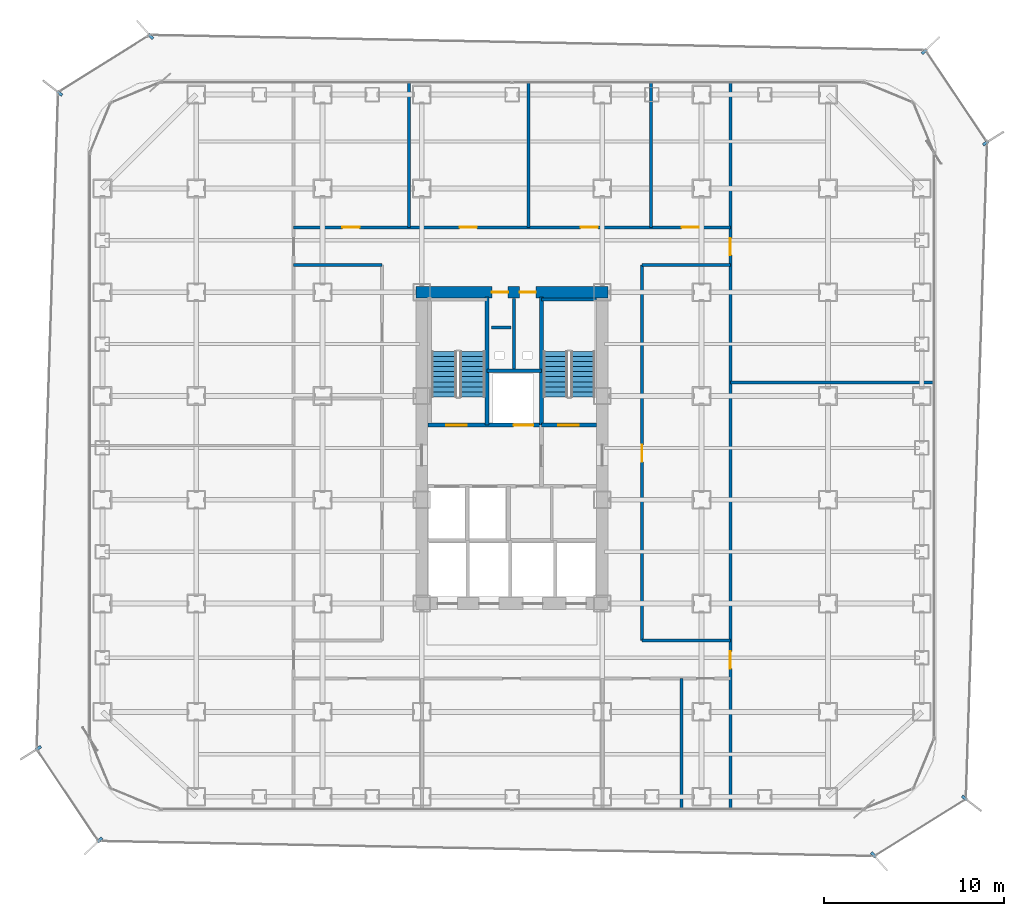
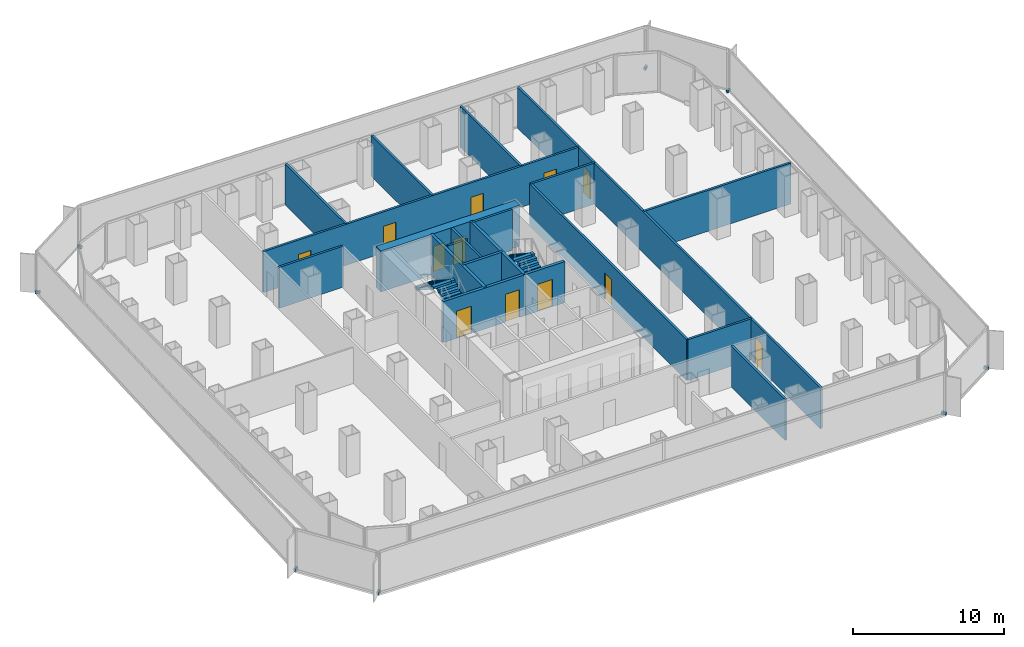
# One storey, part 18 of 21: 20 walls, 12 doors, 8 discrete accessories, 4 stair flights, 12 openings, 2 elements without a shape of their own.
"""IFC4 building model written with IfcOpenShell, lengths in metres."""

from ifc_helpers import new_model, si_unit, direction, frame, frame_2d, origin, origin_2d, place, context, subcontext, project, spatial, polyline, rectangle, outline, extrude, source, transform, mapped, material, layer, layer_set, type_object, element, fill, aggregate, save


model = new_model("IFC4")

# Units and contexts
model_context = context("Model", 3, precision=1e-05, world=origin(), true_north=direction((0.0, 1.0)))
body_context = subcontext(model_context, "Body", "Model", "MODEL_VIEW")
ifc_project = project(units=[si_unit("LENGTHUNIT", "METRE"), si_unit("AREAUNIT", "SQUARE_METRE"), si_unit("VOLUMEUNIT", "CUBIC_METRE"), si_unit("PLANEANGLEUNIT", "RADIAN"), si_unit("MASSUNIT", "GRAM", prefix="KILO")], contexts=[model_context])

# Site, building, storey
site_placement = place(None, origin())
site = spatial("IfcSite", under=ifc_project, at=site_placement, CompositionType="ELEMENT")
building_placement = place(site_placement, origin())
building = spatial("IfcBuilding", under=site, at=building_placement, Name="Kolveth Station Tower", CompositionType="ELEMENT")
storey_placement = place(building_placement, frame((0.0, 0.0, 33.300048828125)))
storey = spatial("IfcBuildingStorey", under=building, at=storey_placement, Name="L08", CompositionType="ELEMENT", Elevation=33.300048828125)

# Wall, openings, doors
ifc_material_1 = material(Name="Concrete C60/75", Category="concrete")
ifc_layer_1 = layer(ifc_material_1, 0.64990234375)
ifc_layer_set_1 = layer_set([ifc_layer_1], Name="Concrete C60/75")
wall_type_1 = type_object("IfcWallType", Name="Wall_CW-650", PredefinedType="SHEAR", material=ifc_layer_set_1)
wall_1_placement = place(storey_placement, frame((18.175048828125, 28.75, 0.0), z_axis=(0.0, 0.0, 1.0), x_axis=(1.0, 0.0, 0.0)))
wall_1 = element("IfcWall", 1, at=wall_1_placement, inside=storey, type_object=wall_type_1, Name="L08 Core RC Shear Wall N", PredefinedType="SHEAR", context=body_context, shape_type="SweptSolid", body=[
    extrude(rectangle(XDim=10.64990234375, YDim=0.64990234375, at=frame_2d((5.324951171875, 0.0))), origin(), (0.0, 0.0, 1.0), 3.320068359375),
])
opening_1_placement = place(wall_1_placement, frame((4.205078125, 0.0, 0.0)))
opening_1 = element("IfcOpeningElement", 2, at=opening_1_placement, cuts=wall_1, Name="Opening RD1", PredefinedType="OPENING", context=body_context, shape_type="SweptSolid", body=[
    extrude(rectangle(XDim=0.89990234375, YDim=2.050048828125, at=frame_2d((0.449951171875, 1.02490234375))), frame((0.0, 0.3349609375, 0.0), z_axis=(0.0, -1.0, 0.0), x_axis=(1.0, 0.0, 0.0)), (0.0, 0.0, 1.0), 0.669921875),
])
opening_2_placement = place(wall_1_placement, frame((5.7451171875, 0.0, 0.0)))
opening_2 = element("IfcOpeningElement", 3, at=opening_2_placement, cuts=wall_1, Name="Opening RD1", PredefinedType="OPENING", context=body_context, shape_type="SweptSolid", body=[
    extrude(rectangle(XDim=0.89990234375, YDim=2.050048828125, at=frame_2d((0.449951171875, 1.02490234375))), frame((0.0, 0.3349609375, 0.0), z_axis=(0.0, -1.0, 0.0), x_axis=(1.0, 0.0, 0.0)), (0.0, 0.0, 1.0), 0.669921875),
])
ifc_material_2 = material(Name="Fire-rated Steel S355 riser access leaf", Category="steel")
door_type_1 = type_object("IfcDoorType", Name="Door_RD1", OperationType="NOTDEFINED", PredefinedType="DOOR", material=ifc_material_2)
door_1_placement = place(opening_1_placement, origin())
door_1 = element("IfcDoor", 4, at=door_1_placement, inside=storey, type_object=door_type_1, Name="L08 Electrical Riser Access Door", OperationType="SINGLE_SWING_RIGHT", OverallHeight=2.050048828125, OverallWidth=0.89990234375, PredefinedType="DOOR", context=body_context, shape_type="SweptSolid", body=[
    extrude(rectangle(XDim=0.89990234375, YDim=2.050048828125, at=frame_2d((0.449951171875, 1.02490234375))), frame((0.0, 0.02490234375, 0.0), z_axis=(0.0, -1.0, 0.0), x_axis=(1.0, 0.0, 0.0)), (0.0, 0.0, 1.0), 0.050048828125),
])
fill(opening_1, door_1)
door_2_placement = place(opening_2_placement, origin())
door_2 = element("IfcDoor", 5, at=door_2_placement, inside=storey, type_object=door_type_1, Name="L08 Smoke Duct Access Door", OperationType="SINGLE_SWING_LEFT", OverallHeight=2.050048828125, OverallWidth=0.89990234375, PredefinedType="DOOR", context=body_context, shape_type="SweptSolid", body=[
    extrude(rectangle(XDim=0.89990234375, YDim=2.050048828125, at=frame_2d((0.449951171875, 1.02490234375))), frame((0.0, 0.02490234375, 0.0), z_axis=(0.0, -1.0, 0.0), x_axis=(1.0, 0.0, 0.0)), (0.0, 0.0, 1.0), 0.050048828125),
])
fill(opening_2, door_2)

# Walls
ifc_material_3 = material(Name="Acoustic double-stud gypsum partition")
ifc_layer_2 = layer(ifc_material_3, 0.1650390625)
ifc_layer_set_2 = layer_set([ifc_layer_2], Name="Acoustic double-stud gypsum partition")
wall_type_2 = type_object("IfcWallType", Name="Wall_IW-165", PredefinedType="PARTITIONING", material=ifc_layer_set_2)
wall_2_placement = place(storey_placement, frame((25.1298828125, 28.3349609375, 0.0), z_axis=(0.0, 0.0, 1.0), x_axis=(1.0, 0.0, 0.0)))
element("IfcWall", 6, at=wall_2_placement, inside=storey, type_object=wall_type_2, Name="L08 Stair Shaft Wall WL-L08-ST2-N", PredefinedType="PARTITIONING", context=body_context, shape_type="SweptSolid", body=[
    extrude(rectangle(XDim=3.03515625, YDim=0.1650390625, at=frame_2d((1.517578125, 0.0))), origin(), (0.0, 0.0, 1.0), 3.320068359375),
])
wall_3_placement = place(storey_placement, frame((23.6201171875, 24.39990234375, 0.0), z_axis=(0.0, 0.0, 1.0), x_axis=(0.0, 1.0, 0.0)))
element("IfcWall", 7, at=wall_3_placement, inside=storey, type_object=wall_type_2, Name="L08 Partition Wall WL-L08-RSR-M", PredefinedType="PARTITIONING", context=body_context, shape_type="SweptSolid", body=[
    extrude(rectangle(XDim=4.01513671875, YDim=0.1650390625, at=frame_2d((2.007568359375, 0.0))), origin(), (0.0, 0.0, 1.0), 3.320068359375),
])

# Wall, openings, doors
wall_4_placement = place(storey_placement, frame((11.39990234375, 32.35009765625, 0.0), z_axis=(0.0, 0.0, 1.0), x_axis=(1.0, 0.0, 0.0)))
wall_4 = element("IfcWall", 8, at=wall_4_placement, inside=storey, type_object=wall_type_2, Name="L08 Partition Wall WL-L08-ON", PredefinedType="PARTITIONING", context=body_context, shape_type="SweptSolid", body=[
    extrude(rectangle(XDim=24.2001953125, YDim=0.1650390625, at=frame_2d((12.10009765625, 0.0))), origin(), (0.0, 0.0, 1.0), 3.320068359375),
])
opening_3_placement = place(wall_4_placement, frame((2.699951171875, 0.0, 0.0)))
opening_3 = element("IfcOpeningElement", 9, at=opening_3_placement, cuts=wall_4, Name="Opening ID1", PredefinedType="OPENING", context=body_context, shape_type="SweptSolid", body=[
    extrude(rectangle(XDim=0.949951171875, YDim=2.14990234375, at=frame_2d((0.47509765625, 1.074951171875))), frame((0.0, 0.092529296875, 0.0), z_axis=(0.0, -1.0, 0.0), x_axis=(1.0, 0.0, 0.0)), (0.0, 0.0, 1.0), 0.18505859375),
])
opening_4_placement = place(wall_4_placement, frame((9.199951171875, 0.0, 0.0)))
opening_4 = element("IfcOpeningElement", 10, at=opening_4_placement, cuts=wall_4, Name="Opening ID1", PredefinedType="OPENING", context=body_context, shape_type="SweptSolid", body=[
    extrude(rectangle(XDim=0.949951171875, YDim=2.14990234375, at=frame_2d((0.47509765625, 1.074951171875))), frame((0.0, 0.092529296875, 0.0), z_axis=(0.0, -1.0, 0.0), x_axis=(1.0, 0.0, 0.0)), (0.0, 0.0, 1.0), 0.18505859375),
])
opening_5_placement = place(wall_4_placement, frame((15.89990234375, 0.0, 0.0)))
opening_5 = element("IfcOpeningElement", 11, at=opening_5_placement, cuts=wall_4, Name="Opening ID1", PredefinedType="OPENING", context=body_context, shape_type="SweptSolid", body=[
    extrude(rectangle(XDim=0.949951171875, YDim=2.14990234375, at=frame_2d((0.47509765625, 1.074951171875))), frame((0.0, 0.092529296875, 0.0), z_axis=(0.0, -1.0, 0.0), x_axis=(1.0, 0.0, 0.0)), (0.0, 0.0, 1.0), 0.18505859375),
])
opening_6_placement = place(wall_4_placement, frame((21.5, 0.0, 0.0)))
opening_6 = element("IfcOpeningElement", 12, at=opening_6_placement, cuts=wall_4, Name="Opening ID1", PredefinedType="OPENING", context=body_context, shape_type="SweptSolid", body=[
    extrude(rectangle(XDim=0.949951171875, YDim=2.14990234375, at=frame_2d((0.47509765625, 1.074951171875))), frame((0.0, 0.092529296875, 0.0), z_axis=(0.0, -1.0, 0.0), x_axis=(1.0, 0.0, 0.0)), (0.0, 0.0, 1.0), 0.18505859375),
])
ifc_material_4 = material(Name="Acoustic hardwood leaf and aluminium frame", Category="wood")
door_type_2 = type_object("IfcDoorType", Name="Door_ID1", OperationType="NOTDEFINED", PredefinedType="DOOR", material=ifc_material_4)
door_3_placement = place(opening_3_placement, origin())
door_3 = element("IfcDoor", 13, at=door_3_placement, inside=storey, type_object=door_type_2, Name="L08 Cellular Office 5 Door", OperationType="SINGLE_SWING_LEFT", OverallHeight=2.14990234375, OverallWidth=0.949951171875, PredefinedType="DOOR", context=body_context, shape_type="SweptSolid", body=[
    extrude(rectangle(XDim=0.949951171875, YDim=2.14990234375, at=frame_2d((0.47509765625, 1.074951171875))), frame((0.0, 0.02490234375, 0.0), z_axis=(0.0, -1.0, 0.0), x_axis=(1.0, 0.0, 0.0)), (0.0, 0.0, 1.0), 0.050048828125),
])
fill(opening_3, door_3)
door_4_placement = place(opening_4_placement, origin())
door_4 = element("IfcDoor", 14, at=door_4_placement, inside=storey, type_object=door_type_2, Name="L08 Cellular Office 6 Door", OperationType="SINGLE_SWING_LEFT", OverallHeight=2.14990234375, OverallWidth=0.949951171875, PredefinedType="DOOR", context=body_context, shape_type="SweptSolid", body=[
    extrude(rectangle(XDim=0.949951171875, YDim=2.14990234375, at=frame_2d((0.47509765625, 1.074951171875))), frame((0.0, 0.02490234375, 0.0), z_axis=(0.0, -1.0, 0.0), x_axis=(1.0, 0.0, 0.0)), (0.0, 0.0, 1.0), 0.050048828125),
])
fill(opening_4, door_4)
door_5_placement = place(opening_5_placement, origin())
door_5 = element("IfcDoor", 15, at=door_5_placement, inside=storey, type_object=door_type_2, Name="L08 Cellular Office 7 Door", OperationType="SINGLE_SWING_RIGHT", OverallHeight=2.14990234375, OverallWidth=0.949951171875, PredefinedType="DOOR", context=body_context, shape_type="SweptSolid", body=[
    extrude(rectangle(XDim=0.949951171875, YDim=2.14990234375, at=frame_2d((0.47509765625, 1.074951171875))), frame((0.0, 0.02490234375, 0.0), z_axis=(0.0, -1.0, 0.0), x_axis=(1.0, 0.0, 0.0)), (0.0, 0.0, 1.0), 0.050048828125),
])
fill(opening_5, door_5)
door_6_placement = place(opening_6_placement, origin())
door_6 = element("IfcDoor", 16, at=door_6_placement, inside=storey, type_object=door_type_2, Name="L08 Office Pantry Door", OperationType="SINGLE_SWING_LEFT", OverallHeight=2.14990234375, OverallWidth=0.949951171875, PredefinedType="DOOR", context=body_context, shape_type="SweptSolid", body=[
    extrude(rectangle(XDim=0.949951171875, YDim=2.14990234375, at=frame_2d((0.47509765625, 1.074951171875))), frame((0.0, 0.02490234375, 0.0), z_axis=(0.0, -1.0, 0.0), x_axis=(1.0, 0.0, 0.0)), (0.0, 0.0, 1.0), 0.050048828125),
])
fill(opening_6, door_6)

# Walls
for number, where, z_axis, x_axis, name in (
    (17, (30.699951171875, 9.449951171875, 0.0), (0.0, 0.0, 1.0), (1.0, 0.0, 0.0), "L08 Partition Wall WL-L08-OSET"),
    (18, (11.39990234375, 30.25, 0.0), (0.0, 0.0, 1.0), (1.0, 0.0, 0.0), "L08 Partition Wall WL-L08-ONWB"),
    (19, (30.699951171875, 30.25, 0.0), (0.0, 0.0, 1.0), (1.0, 0.0, 0.0), "L08 Partition Wall WL-L08-ONEB"),
):
    element("IfcWall", number, at=place(storey_placement, frame(where, z_axis=z_axis, x_axis=x_axis)), inside=storey, type_object=wall_type_2, Name=name, PredefinedType="PARTITIONING", context=body_context, shape_type="SweptSolid", body=[
        extrude(rectangle(XDim=4.900146484375, YDim=0.1650390625, at=frame_2d((2.4501953125, 0.0))), origin(), (0.0, 0.0, 1.0), 3.320068359375),
    ])

# Wall, opening, door
wall_5_placement = place(storey_placement, frame((30.699951171875, 9.449951171875, 0.0), z_axis=(0.0, 0.0, 1.0), x_axis=(0.0, 1.0, 0.0)))
wall_5 = element("IfcWall", 20, at=wall_5_placement, inside=storey, type_object=wall_type_2, Name="L08 Partition Wall WL-L08-OCE", PredefinedType="PARTITIONING", context=body_context, shape_type="SweptSolid", body=[
    extrude(rectangle(XDim=20.800048828125, YDim=0.1650390625, at=frame_2d((10.39990234375, 0.0))), origin(), (0.0, 0.0, 1.0), 3.320068359375),
])
opening_7_placement = place(wall_5_placement, frame((9.89990234375, 0.0, 0.0)))
opening_7 = element("IfcOpeningElement", 21, at=opening_7_placement, cuts=wall_5, Name="Opening ID1", PredefinedType="OPENING", context=body_context, shape_type="SweptSolid", body=[
    extrude(rectangle(XDim=0.949951171875, YDim=2.14990234375, at=frame_2d((0.47509765625, 1.074951171875))), frame((0.0, 0.092529296875, 0.0), z_axis=(0.0, -1.0, 0.0), x_axis=(1.0, 0.0, 0.0)), (0.0, 0.0, 1.0), 0.18505859375),
])
door_7_placement = place(opening_7_placement, origin())
door_7 = element("IfcDoor", 22, at=door_7_placement, inside=storey, type_object=door_type_2, Name="L08 Internal Meeting Room E1 Door", OperationType="SINGLE_SWING_LEFT", OverallHeight=2.14990234375, OverallWidth=0.949951171875, PredefinedType="DOOR", context=body_context, shape_type="SweptSolid", body=[
    extrude(rectangle(XDim=0.949951171875, YDim=2.14990234375, at=frame_2d((0.47509765625, 1.074951171875))), frame((0.0, 0.02490234375, 0.0), z_axis=(0.0, -1.0, 0.0), x_axis=(1.0, 0.0, 0.0)), (0.0, 0.0, 1.0), 0.050048828125),
])
fill(opening_7, door_7)

# Wall, openings, doors
wall_6_placement = place(storey_placement, frame((35.60009765625, 0.159912109375, 0.0), z_axis=(0.0, 0.0, 1.0), x_axis=(0.0, 1.0, 0.0)))
wall_6 = element("IfcWall", 23, at=wall_6_placement, inside=storey, type_object=wall_type_2, Name="L08 Partition Wall WL-L08-OEEND", PredefinedType="PARTITIONING", context=body_context, shape_type="SweptSolid", body=[
    extrude(rectangle(XDim=40.18017578125, YDim=0.1650390625, at=frame_2d((20.090087890625, 0.0))), origin(), (0.0, 0.0, 1.0), 3.320068359375),
])
opening_8_placement = place(wall_6_placement, frame((7.739990234375, 0.0, 0.0)))
opening_8 = element("IfcOpeningElement", 24, at=opening_8_placement, cuts=wall_6, Name="Opening ID1", PredefinedType="OPENING", context=body_context, shape_type="SweptSolid", body=[
    extrude(rectangle(XDim=0.949951171875, YDim=2.14990234375, at=frame_2d((0.47509765625, 1.074951171875))), frame((0.0, 0.092529296875, 0.0), z_axis=(0.0, -1.0, 0.0), x_axis=(1.0, 0.0, 0.0)), (0.0, 0.0, 1.0), 0.18505859375),
])
opening_9_placement = place(wall_6_placement, frame((30.639892578125, 0.0, 0.0)))
opening_9 = element("IfcOpeningElement", 25, at=opening_9_placement, cuts=wall_6, Name="Opening ID1", PredefinedType="OPENING", context=body_context, shape_type="SweptSolid", body=[
    extrude(rectangle(XDim=0.949951171875, YDim=2.14990234375, at=frame_2d((0.47509765625, 1.074951171875))), frame((0.0, 0.092529296875, 0.0), z_axis=(0.0, -1.0, 0.0), x_axis=(1.0, 0.0, 0.0)), (0.0, 0.0, 1.0), 0.18505859375),
])
door_8_placement = place(opening_8_placement, origin())
door_8 = element("IfcDoor", 26, at=door_8_placement, inside=storey, type_object=door_type_2, Name="L08 East-South Wing Door", OperationType="SINGLE_SWING_RIGHT", OverallHeight=2.14990234375, OverallWidth=0.949951171875, PredefinedType="DOOR", context=body_context, shape_type="SweptSolid", body=[
    extrude(rectangle(XDim=0.949951171875, YDim=2.14990234375, at=frame_2d((0.47509765625, 1.074951171875))), frame((0.0, 0.02490234375, 0.0), z_axis=(0.0, -1.0, 0.0), x_axis=(1.0, 0.0, 0.0)), (0.0, 0.0, 1.0), 0.050048828125),
])
fill(opening_8, door_8)
door_9_placement = place(opening_9_placement, origin())
door_9 = element("IfcDoor", 27, at=door_9_placement, inside=storey, type_object=door_type_2, Name="L08 East-North Wing Door", OperationType="SINGLE_SWING_LEFT", OverallHeight=2.14990234375, OverallWidth=0.949951171875, PredefinedType="DOOR", context=body_context, shape_type="SweptSolid", body=[
    extrude(rectangle(XDim=0.949951171875, YDim=2.14990234375, at=frame_2d((0.47509765625, 1.074951171875))), frame((0.0, 0.02490234375, 0.0), z_axis=(0.0, -1.0, 0.0), x_axis=(1.0, 0.0, 0.0)), (0.0, 0.0, 1.0), 0.050048828125),
])
fill(opening_9, door_9)

# Walls
wall_7_placement = place(storey_placement, frame((32.89990234375, 0.159912109375, 0.0), z_axis=(0.0, 0.0, 1.0), x_axis=(0.0, 1.0, 0.0)))
element("IfcWall", 28, at=wall_7_placement, inside=storey, type_object=wall_type_2, Name="L08 Partition Wall WL-L08-OS-P3", PredefinedType="PARTITIONING", context=body_context, shape_type="SweptSolid", body=[
    extrude(rectangle(XDim=7.190185546875, YDim=0.1650390625, at=frame_2d((3.59521484375, 0.0))), origin(), (0.0, 0.0, 1.0), 3.320068359375),
])
for number, where, z_axis, x_axis, name in (
    (29, (17.800048828125, 32.35009765625, 0.0), (0.0, 0.0, 1.0), (0.0, 1.0, 0.0), "L08 Partition Wall WL-L08-ON-P1"),
    (30, (24.39990234375, 32.35009765625, 0.0), (0.0, 0.0, 1.0), (0.0, 1.0, 0.0), "L08 Partition Wall WL-L08-ON-P2"),
    (31, (31.199951171875, 32.35009765625, 0.0), (0.0, 0.0, 1.0), (0.0, 1.0, 0.0), "L08 Partition Wall WL-L08-ON-P3"),
):
    element("IfcWall", number, at=place(storey_placement, frame(where, z_axis=z_axis, x_axis=x_axis)), inside=storey, type_object=wall_type_2, Name=name, PredefinedType="PARTITIONING", context=body_context, shape_type="SweptSolid", body=[
        extrude(rectangle(XDim=7.989990234375, YDim=0.1650390625, at=frame_2d((3.9951171875, 0.0))), origin(), (0.0, 0.0, 1.0), 3.320068359375),
    ])
wall_8_placement = place(storey_placement, frame((35.60009765625, 23.75, 0.0), z_axis=(0.0, 0.0, 1.0), x_axis=(1.0, 0.0, 0.0)))
element("IfcWall", 32, at=wall_8_placement, inside=storey, type_object=wall_type_2, Name="L08 Partition Wall WL-L08-OEM", PredefinedType="PARTITIONING", context=body_context, shape_type="SweptSolid", body=[
    extrude(rectangle(XDim=11.239990234375, YDim=0.1650390625, at=frame_2d((5.6201171875, 0.0))), origin(), (0.0, 0.0, 1.0), 3.320068359375),
])
wall_9_placement = place(storey_placement, frame((22.35009765625, 26.800048828125, 0.0), z_axis=(0.0, 0.0, 1.0), x_axis=(1.0, 0.0, 0.0)))
element("IfcWall", 33, at=wall_9_placement, inside=storey, type_object=wall_type_2, Name="L08 Acoustic Riser Dry-Lining Wall", PredefinedType="PARTITIONING", context=body_context, shape_type="SweptSolid", body=[
    extrude(rectangle(XDim=1.099853515625, YDim=0.1650390625, at=frame_2d((0.5498046875, 0.0))), origin(), (0.0, 0.0, 1.0), 3.320068359375),
])
ifc_material_5 = material(Name="Acoustic fire-rated gypsum blockwork", Category="masonry")
ifc_layer_3 = layer(ifc_material_5, 0.199951171875)
ifc_layer_set_3 = layer_set([ifc_layer_3], Name="Acoustic fire-rated gypsum blockwork")
wall_type_3 = type_object("IfcWallType", Name="Wall_IW-200", PredefinedType="PARTITIONING", material=ifc_layer_set_3)
wall_10_placement = place(storey_placement, frame((22.110107421875, 24.39990234375, 0.0), z_axis=(0.0, 0.0, 1.0), x_axis=(1.0, 0.0, 0.0)))
element("IfcWall", 34, at=wall_10_placement, inside=storey, type_object=wall_type_3, Name="L08 Partition Wall WL-L08-RSR-S", PredefinedType="PARTITIONING", context=body_context, shape_type="SweptSolid", body=[
    extrude(rectangle(XDim=3.019775390625, YDim=0.199951171875, at=frame_2d((1.509765625, 0.0))), origin(), (0.0, 0.0, 1.0), 3.320068359375),
])
ifc_material_6 = material(Name="Concrete C40/50", Category="concrete")
ifc_layer_4 = layer(ifc_material_6, 0.219970703125)
ifc_layer_set_4 = layer_set([ifc_layer_4], Name="Concrete C40/50")
wall_type_4 = type_object("IfcWallType", Name="Wall_IW-220", PredefinedType="SOLIDWALL", material=ifc_layer_set_4)
for number, where, z_axis, x_axis, name in (
    (35, (22.110107421875, 21.389892578125, 0.0), (0.0, 0.0, 1.0), (0.0, 1.0, 0.0), "L08 Stair Shaft Wall WL-L08-ST1-E"),
    (36, (25.1298828125, 21.389892578125, 0.0), (0.0, 0.0, 1.0), (0.0, 1.0, 0.0), "L08 Stair Shaft Wall WL-L08-ST2-W"),
):
    element("IfcWall", number, at=place(storey_placement, frame(where, z_axis=z_axis, x_axis=x_axis)), inside=storey, type_object=wall_type_4, Name=name, PredefinedType="SOLIDWALL", context=body_context, shape_type="SweptSolid", body=[
        extrude(rectangle(XDim=7.110107421875, YDim=0.219970703125, at=frame_2d((3.55517578125, 0.0))), origin(), (0.0, 0.0, 1.0), 3.320068359375),
    ])

# Wall, openings, doors
wall_11_placement = place(storey_placement, frame((18.8349609375, 21.389892578125, 0.0), z_axis=(0.0, 0.0, 1.0), x_axis=(1.0, 0.0, 0.0)))
wall_11 = element("IfcWall", 37, at=wall_11_placement, inside=storey, type_object=wall_type_4, Name="L08 Stair Shaft Wall WL-L08-ST1-S", PredefinedType="SOLIDWALL", context=body_context, shape_type="SweptSolid", body=[
    extrude(rectangle(XDim=6.294921875, YDim=0.219970703125, at=frame_2d((3.1474609375, 0.0))), origin(), (0.0, 0.0, 1.0), 3.320068359375),
])
opening_10_placement = place(wall_11_placement, frame((1.014892578125, 0.0, 0.0)))
opening_10 = element("IfcOpeningElement", 38, at=opening_10_placement, cuts=wall_11, Name="Opening FD1", PredefinedType="OPENING", context=body_context, shape_type="SweptSolid", body=[
    extrude(rectangle(XDim=1.14990234375, YDim=2.199951171875, at=frame_2d((0.574951171875, 1.10009765625))), frame((0.0, 0.119873046875, 0.0), z_axis=(0.0, -1.0, 0.0), x_axis=(1.0, 0.0, 0.0)), (0.0, 0.0, 1.0), 0.239990234375),
])
opening_11_placement = place(wall_11_placement, frame((4.7451171875, 0.0, 0.0)))
opening_11 = element("IfcOpeningElement", 39, at=opening_11_placement, cuts=wall_11, Name="Opening LD1", PredefinedType="OPENING", context=body_context, shape_type="SweptSolid", body=[
    extrude(rectangle(XDim=1.10009765625, YDim=2.25, at=frame_2d((0.550048828125, 1.125))), frame((0.0, 0.119873046875, 0.0), z_axis=(0.0, -1.0, 0.0), x_axis=(1.0, 0.0, 0.0)), (0.0, 0.0, 1.0), 0.239990234375),
])
ifc_material_7 = material(Name="Fire-rated Steel S355 leaf and frame", Category="steel")
door_type_3 = type_object("IfcDoorType", Name="Door_FD1", OperationType="NOTDEFINED", PredefinedType="DOOR", material=ifc_material_7)
door_10_placement = place(opening_10_placement, frame((1.14990234375, 0.0, 0.0), z_axis=(0.0, 0.0, 1.0), x_axis=(-1.0, 0.0, 0.0)))
door_10 = element("IfcDoor", 40, at=door_10_placement, inside=storey, type_object=door_type_3, Name="L08 Stair ST1 Fire Door", OperationType="SINGLE_SWING_LEFT", OverallHeight=2.199951171875, OverallWidth=1.14990234375, PredefinedType="DOOR", context=body_context, shape_type="SweptSolid", body=[
    extrude(rectangle(XDim=1.14990234375, YDim=2.199951171875, at=frame_2d((0.574951171875, 1.10009765625))), frame((0.0, 0.02490234375, 0.0), z_axis=(0.0, -1.0, 0.0), x_axis=(1.0, 0.0, 0.0)), (0.0, 0.0, 1.0), 0.050048828125),
])
fill(opening_10, door_10)
ifc_material_8 = material(Name="Brushed stainless steel sliding landing doors", Category="steel")
door_type_4 = type_object("IfcDoorType", Name="Door_LD1", OperationType="NOTDEFINED", PredefinedType="DOOR", material=ifc_material_8)
door_11_placement = place(opening_11_placement, frame((1.10009765625, 0.0, 0.0), z_axis=(0.0, 0.0, 1.0), x_axis=(-1.0, 0.0, 0.0)))
door_11 = element("IfcDoor", 41, at=door_11_placement, inside=storey, type_object=door_type_4, Name="L08 Service Lift SV1 Landing Door", OperationType="DOUBLE_DOOR_SLIDING", OverallHeight=2.25, OverallWidth=1.10009765625, PredefinedType="DOOR", context=body_context, shape_type="SweptSolid", body=[
    extrude(rectangle(XDim=1.10009765625, YDim=2.25, at=frame_2d((0.550048828125, 1.125))), frame((0.0, 0.02490234375, 0.0), z_axis=(0.0, -1.0, 0.0), x_axis=(1.0, 0.0, 0.0)), (0.0, 0.0, 1.0), 0.050048828125),
])
fill(opening_11, door_11)

# Wall, opening, door
wall_12_placement = place(storey_placement, frame((25.1298828125, 21.389892578125, 0.0), z_axis=(0.0, 0.0, 1.0), x_axis=(1.0, 0.0, 0.0)))
wall_12 = element("IfcWall", 42, at=wall_12_placement, inside=storey, type_object=wall_type_4, Name="L08 Stair Shaft Wall WL-L08-ST2-S", PredefinedType="SOLIDWALL", context=body_context, shape_type="SweptSolid", body=[
    extrude(rectangle(XDim=3.03515625, YDim=0.219970703125, at=frame_2d((1.517578125, 0.0))), origin(), (0.0, 0.0, 1.0), 3.320068359375),
])
opening_12_placement = place(wall_12_placement, frame((0.919921875, 0.0, 0.0)))
opening_12 = element("IfcOpeningElement", 43, at=opening_12_placement, cuts=wall_12, Name="Opening FD1", PredefinedType="OPENING", context=body_context, shape_type="SweptSolid", body=[
    extrude(rectangle(XDim=1.14990234375, YDim=2.199951171875, at=frame_2d((0.574951171875, 1.10009765625))), frame((0.0, 0.119873046875, 0.0), z_axis=(0.0, -1.0, 0.0), x_axis=(1.0, 0.0, 0.0)), (0.0, 0.0, 1.0), 0.239990234375),
])
door_12_placement = place(opening_12_placement, frame((1.14990234375, 0.0, 0.0), z_axis=(0.0, 0.0, 1.0), x_axis=(-1.0, 0.0, 0.0)))
door_12 = element("IfcDoor", 44, at=door_12_placement, inside=storey, type_object=door_type_3, Name="L08 Stair ST2 Fire Door", OperationType="SINGLE_SWING_RIGHT", OverallHeight=2.199951171875, OverallWidth=1.14990234375, PredefinedType="DOOR", context=body_context, shape_type="SweptSolid", body=[
    extrude(rectangle(XDim=1.14990234375, YDim=2.199951171875, at=frame_2d((0.574951171875, 1.10009765625))), frame((0.0, 0.02490234375, 0.0), z_axis=(0.0, -1.0, 0.0), x_axis=(1.0, 0.0, 0.0)), (0.0, 0.0, 1.0), 0.050048828125),
])
fill(opening_12, door_12)

# Stair, stair flights
stair_type_1 = type_object("IfcStairType", Name="Stair_ST1", PredefinedType="HALF_TURN_STAIR", material=ifc_material_6)
stair_1_placement = place(storey_placement, origin())
stair_1 = element("IfcStair", 45, at=stair_1_placement, inside=storey, type_object=stair_type_1, Name="L08 Tower Exit Stair ST1", PredefinedType="HALF_TURN_STAIR")
ifc_layer_5 = layer(ifc_material_6, 0.179931640625)
ifc_layer_set_5 = layer_set([ifc_layer_5], Name="Concrete C40/50")
stair_flight_type_1 = type_object("IfcStairFlightType", Name="Flight_ST1", PredefinedType="STRAIGHT", material=ifc_layer_set_5)
stair_flight_1_placement = place(storey_placement, frame((21.300048828125, 22.949951171875, 0.0), z_axis=(0.0, 0.0, 1.0), x_axis=(0.0, 1.0, 0.0)))
stair_flight_1 = element("IfcStairFlight", 46, at=stair_flight_1_placement, type_object=stair_flight_type_1, Name="ST1 flight 1", NumberOfRisers=10, NumberOfTreads=9, PredefinedType="STRAIGHT", RiserHeight=0.18, TreadLength=0.28, context=body_context, shape_type="SweptSolid", body=[
    extrude(outline(polyline([(0.0, 0.0), (0.0, 0.179931640625), (0.280029296875, 0.179931640625), (0.280029296875, 0.360107421875), (0.56005859375, 0.360107421875), (0.56005859375, 0.5400390625), (0.840087890625, 0.5400390625), (0.840087890625, 0.719970703125), (1.1201171875, 0.719970703125), (1.1201171875, 0.89990234375), (1.39990234375, 0.89990234375), (1.39990234375, 1.080078125), (1.679931640625, 1.080078125), (1.679931640625, 1.260009765625), (1.9599609375, 1.260009765625), (1.9599609375, 1.43994140625), (2.239990234375, 1.43994140625), (2.239990234375, 1.6201171875), (2.52001953125, 1.6201171875), (2.52001953125, 1.800048828125), (2.52001953125, 1.44189453125), (0.277099609375, 0.0), (0.0, 0.0)])), frame((0.0, 0.699951171875, 0.0), z_axis=(0.0, -1.0, 0.0), x_axis=(1.0, 0.0, 0.0)), (0.0, 0.0, 1.0), 1.39990234375),
])
stair_flight_2_placement = place(storey_placement, frame((19.739990234375, 25.469970703125, 1.800048828125), z_axis=(0.0, 0.0, 1.0), x_axis=(0.0, -1.0, 0.0)))
stair_flight_2 = element("IfcStairFlight", 47, at=stair_flight_2_placement, type_object=stair_flight_type_1, Name="ST1 flight 2", NumberOfRisers=10, NumberOfTreads=9, PredefinedType="STRAIGHT", RiserHeight=0.18, TreadLength=0.28, context=body_context, shape_type="SweptSolid", body=[
    extrude(outline(polyline([(0.0, 0.0), (0.0, 0.179931640625), (0.280029296875, 0.179931640625), (0.280029296875, 0.360107421875), (0.56005859375, 0.360107421875), (0.56005859375, 0.5400390625), (0.840087890625, 0.5400390625), (0.840087890625, 0.719970703125), (1.1201171875, 0.719970703125), (1.1201171875, 0.89990234375), (1.39990234375, 0.89990234375), (1.39990234375, 1.080078125), (1.679931640625, 1.080078125), (1.679931640625, 1.260009765625), (1.9599609375, 1.260009765625), (1.9599609375, 1.43994140625), (2.239990234375, 1.43994140625), (2.239990234375, 1.6201171875), (2.52001953125, 1.6201171875), (2.52001953125, 1.800048828125), (2.52001953125, 1.44189453125), (0.277099609375, 0.0), (0.0, 0.0)])), frame((0.0, 0.699951171875, 0.0), z_axis=(0.0, -1.0, 0.0), x_axis=(1.0, 0.0, 0.0)), (0.0, 0.0, 1.0), 1.39990234375),
])
aggregate(stair_1, [stair_flight_1, stair_flight_2])

stair_type_2 = type_object("IfcStairType", Name="Stair_ST2", PredefinedType="HALF_TURN_STAIR", material=ifc_material_6)
stair_2_placement = place(storey_placement, origin())
stair_2 = element("IfcStair", 48, at=stair_2_placement, inside=storey, type_object=stair_type_2, Name="L08 Tower Exit Stair ST2", PredefinedType="HALF_TURN_STAIR")
ifc_layer_6 = layer(ifc_material_6, 0.179931640625)
ifc_layer_set_6 = layer_set([ifc_layer_6], Name="Concrete C40/50")
stair_flight_type_2 = type_object("IfcStairFlightType", Name="Flight_ST2", PredefinedType="STRAIGHT", material=ifc_layer_set_6)
stair_flight_3_placement = place(storey_placement, frame((27.425048828125, 22.949951171875, 0.0), z_axis=(0.0, 0.0, 1.0), x_axis=(0.0, 1.0, 0.0)))
stair_flight_3 = element("IfcStairFlight", 49, at=stair_flight_3_placement, type_object=stair_flight_type_2, Name="ST2 flight 1", NumberOfRisers=10, NumberOfTreads=9, PredefinedType="STRAIGHT", RiserHeight=0.18, TreadLength=0.28, context=body_context, shape_type="SweptSolid", body=[
    extrude(outline(polyline([(0.0, 0.0), (0.0, 0.179931640625), (0.280029296875, 0.179931640625), (0.280029296875, 0.360107421875), (0.56005859375, 0.360107421875), (0.56005859375, 0.5400390625), (0.840087890625, 0.5400390625), (0.840087890625, 0.719970703125), (1.1201171875, 0.719970703125), (1.1201171875, 0.89990234375), (1.39990234375, 0.89990234375), (1.39990234375, 1.080078125), (1.679931640625, 1.080078125), (1.679931640625, 1.260009765625), (1.9599609375, 1.260009765625), (1.9599609375, 1.43994140625), (2.239990234375, 1.43994140625), (2.239990234375, 1.6201171875), (2.52001953125, 1.6201171875), (2.52001953125, 1.800048828125), (2.52001953125, 1.44189453125), (0.277099609375, 0.0), (0.0, 0.0)])), frame((0.0, 0.675048828125, 0.0), z_axis=(0.0, -1.0, 0.0), x_axis=(1.0, 0.0, 0.0)), (0.0, 0.0, 1.0), 1.35009765625),
])
stair_flight_4_placement = place(storey_placement, frame((25.9150390625, 25.469970703125, 1.800048828125), z_axis=(0.0, 0.0, 1.0), x_axis=(0.0, -1.0, 0.0)))
stair_flight_4 = element("IfcStairFlight", 50, at=stair_flight_4_placement, type_object=stair_flight_type_2, Name="ST2 flight 2", NumberOfRisers=10, NumberOfTreads=9, PredefinedType="STRAIGHT", RiserHeight=0.18, TreadLength=0.28, context=body_context, shape_type="SweptSolid", body=[
    extrude(outline(polyline([(0.0, 0.0), (0.0, 0.179931640625), (0.280029296875, 0.179931640625), (0.280029296875, 0.360107421875), (0.56005859375, 0.360107421875), (0.56005859375, 0.5400390625), (0.840087890625, 0.5400390625), (0.840087890625, 0.719970703125), (1.1201171875, 0.719970703125), (1.1201171875, 0.89990234375), (1.39990234375, 0.89990234375), (1.39990234375, 1.080078125), (1.679931640625, 1.080078125), (1.679931640625, 1.260009765625), (1.9599609375, 1.260009765625), (1.9599609375, 1.43994140625), (2.239990234375, 1.43994140625), (2.239990234375, 1.6201171875), (2.52001953125, 1.6201171875), (2.52001953125, 1.800048828125), (2.52001953125, 1.44189453125), (0.277099609375, 0.0), (0.0, 0.0)])), frame((0.0, 0.675048828125, 0.0), z_axis=(0.0, -1.0, 0.0), x_axis=(1.0, 0.0, 0.0)), (0.0, 0.0, 1.0), 1.35009765625),
])
aggregate(stair_2, [stair_flight_3, stair_flight_4])

# Discrete accessories
ifc_material_9 = material(Name="Steel S355", Category="steel")
discrete_accessory_type = type_object("IfcDiscreteAccessoryType", Name="Bracket_BK1", PredefinedType="BRACKET", material=ifc_material_9)
shared_shape = source(origin(), body_context, "Body", "SweptSolid", [
    extrude(rectangle(XDim=0.35009765625, YDim=0.159912109375, at=origin_2d()), origin(), (0.0, 0.0, 1.0), 0.219970703125),
])
for number, where, z_axis, x_axis, name in (
    (51, (43.51611328125, -2.41796875, -0.06005859375), (0.0, 0.0, 1.0), (0.66183538044, -0.749649204093, 0.0), "L08 Double-Skin Radial Tie Bracket 1"),
    (52, (48.570068359375, 0.72900390625, -0.06005859375), (0.0, 0.0, 1.0), (0.788976859824, -0.614422911896, 0.0), "L08 Double-Skin Radial Tie Bracket 2"),
    (53, (49.741943359375, 37.010986328125, -0.06005859375), (0.0, 0.0, 1.0), (0.842734381236, 0.53832960413, 0.0), "L08 Double-Skin Radial Tie Bracket 3"),
    (54, (46.339111328125, 42.0869140625, -0.06005859375), (0.0, 0.0, 1.0), (0.722846553171, 0.691008582124, 0.0), "L08 Double-Skin Radial Tie Bracket 4"),
    (55, (3.48388671875, 42.924072265625, -0.06005859375), (0.0, 0.0, 1.0), (-0.66183538044, 0.749649204093, 0.0), "L08 Double-Skin Radial Tie Bracket 5"),
    (56, (-1.568115234375, 39.77001953125, -0.06005859375), (0.0, 0.0, 1.0), (-0.788976859824, 0.614422911896, 0.0), "L08 Double-Skin Radial Tie Bracket 6"),
    (57, (-2.7490234375, 3.489013671875, -0.06005859375), (0.0, 0.0, 1.0), (-0.842828324641, -0.538182511035, 0.0), "L08 Double-Skin Radial Tie Bracket 7"),
    (58, (0.658935546875, -1.591064453125, -0.06005859375), (0.0, 0.0, 1.0), (-0.722725938412, -0.691134732122, 0.0), "L08 Double-Skin Radial Tie Bracket 8"),
):
    element("IfcDiscreteAccessory", number, at=place(storey_placement, frame(where, z_axis=z_axis, x_axis=x_axis)), inside=storey, type_object=discrete_accessory_type, Name=name, PredefinedType="BRACKET", context=body_context, shape_type="MappedRepresentation", body=[
        mapped(shared_shape, transform((0.0, 0.0, 0.0), x_axis=(1.0, 0.0, 0.0), y_axis=(0.0, 1.0, 0.0), z_axis=(0.0, 0.0, 1.0), scale=1.0)),
    ])

save(model, "model.ifc")
